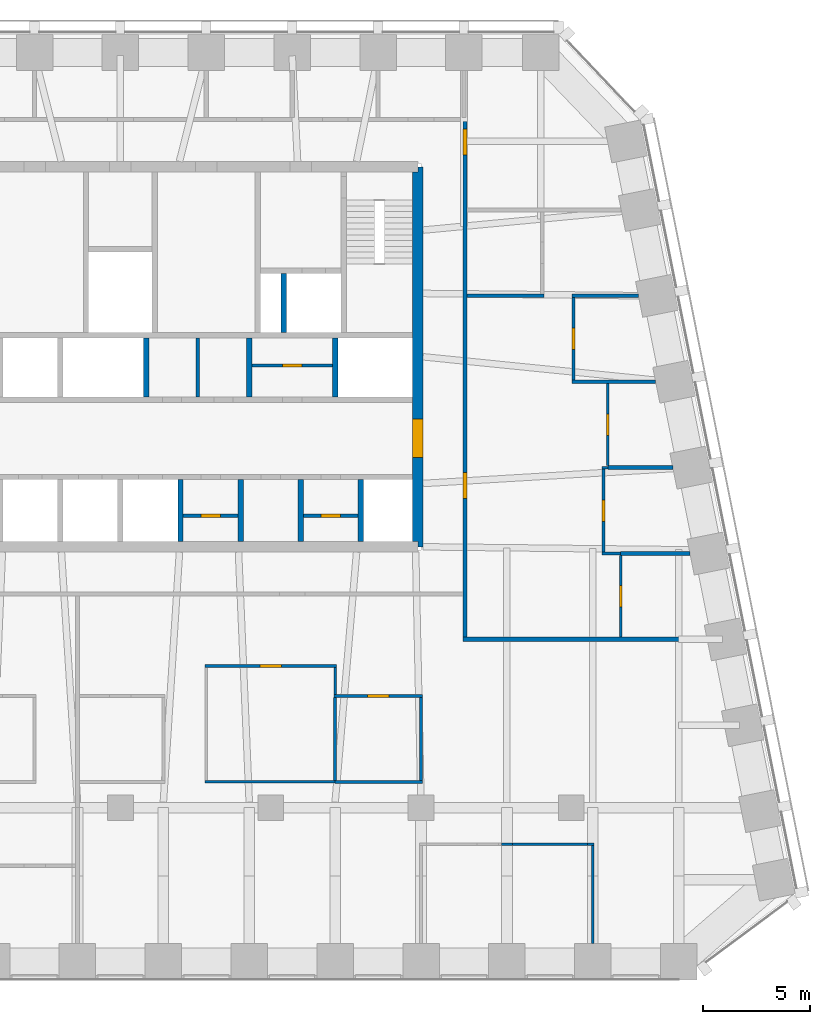
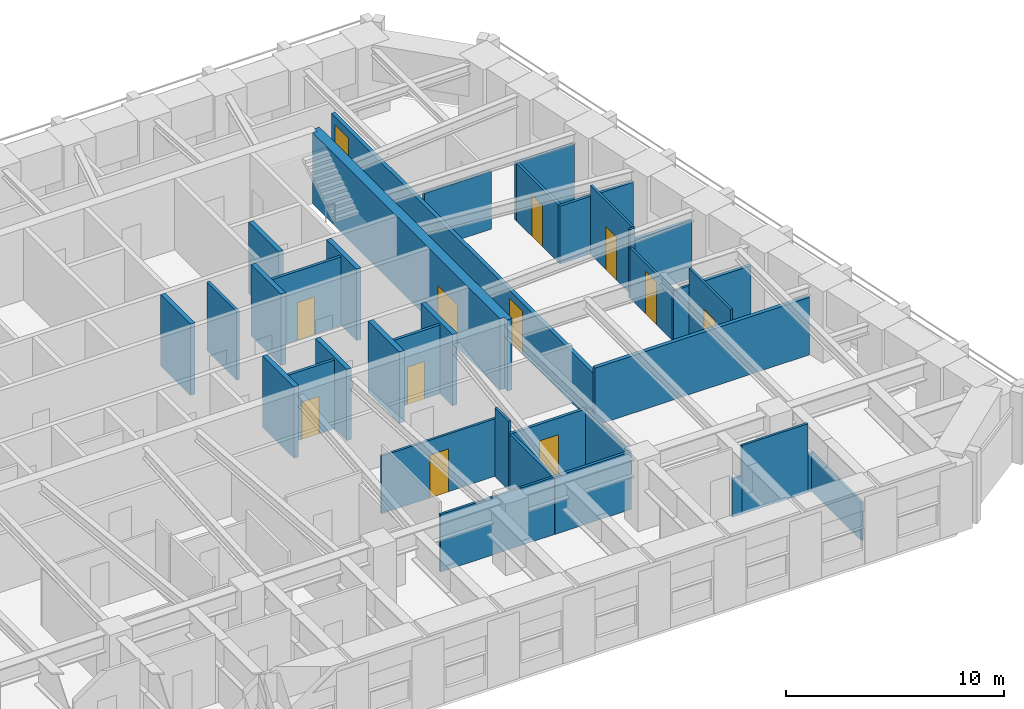
# One storey, part 8 of 11: 37 walls, 12 doors, 12 openings.
"""IFC4 building model written with IfcOpenShell, lengths in metres."""

from ifc_helpers import new_model, si_unit, direction, frame, frame_2d, origin, place, context, subcontext, project, spatial, polyline, rectangle, outline, extrude, material, layer, layer_set, type_object, element, fill, save


model = new_model("IFC4")

# Units and contexts
model_context = context("Model", 3, precision=1e-05, world=origin(), true_north=direction((0.0, 1.0)))
body_context = subcontext(model_context, "Body", "Model", "MODEL_VIEW")
ifc_project = project(units=[si_unit("LENGTHUNIT", "METRE"), si_unit("AREAUNIT", "SQUARE_METRE"), si_unit("VOLUMEUNIT", "CUBIC_METRE"), si_unit("PLANEANGLEUNIT", "RADIAN"), si_unit("MASSUNIT", "GRAM", prefix="KILO")], contexts=[model_context])

# Site, building, storey
site_placement = place(None, origin())
site = spatial("IfcSite", under=ifc_project, at=site_placement, CompositionType="ELEMENT")
building_placement = place(site_placement, origin())
building = spatial("IfcBuilding", under=site, at=building_placement, Name="Isbrekke Arena Tower", CompositionType="ELEMENT")
storey_placement = place(building_placement, frame((0.0, 0.0, 268.0)))
storey = spatial("IfcBuildingStorey", under=building, at=storey_placement, Name="L62", CompositionType="ELEMENT", Elevation=268.0)

# Wall, opening, door
ifc_material_1 = material(Name="Concrete B55 (C55/67)", Category="concrete")
ifc_layer_1 = layer(ifc_material_1, 0.5)
ifc_layer_set_1 = layer_set([ifc_layer_1], Name="CW5 CORE WALL 500")
wall_type_1 = type_object("IfcWallType", Name="CW5 CORE WALL 500", PredefinedType="SHEAR", material=ifc_layer_set_1)
wall_1_placement = place(storey_placement, frame((13.85009765625, 6.14990234375, 0.0), z_axis=(0.0, 0.0, 1.0), x_axis=(0.0, 1.0, 0.0)))
wall_1 = element("IfcWall", 1, at=wall_1_placement, inside=storey, type_object=wall_type_1, Name="Core wall E L62", PredefinedType="SHEAR", context=body_context, shape_type="SweptSolid", body=[
    extrude(outline(polyline([(0.0, -0.25), (17.7001953125, -0.25), (17.7001953125, 0.0), (17.4501953125, 0.0), (17.4501953125, 0.25), (0.25, 0.25), (0.25, 0.0), (0.0, 0.0), (0.0, -0.25)])), origin(), (0.0, 0.0, 1.0), 4.0),
])
opening_1_placement = place(wall_1_placement, frame((4.14990234375, 0.0, 0.0)))
opening_1 = element("IfcOpeningElement", 2, at=opening_1_placement, cuts=wall_1, Name="Opening D1", PredefinedType="OPENING", context=body_context, shape_type="SweptSolid", body=[
    extrude(rectangle(XDim=1.800048828125, YDim=2.39990234375, at=frame_2d((0.89990234375, 1.199951171875))), frame((0.0, 0.264892578125, 0.0), z_axis=(0.0, -1.0, 0.0), x_axis=(1.0, 0.0, 0.0)), (0.0, 0.0, 1.0), 0.52978515625),
])
ifc_material_2 = material(Name="Steel-framed glazed fire door", Category="steel")
door_type_1 = type_object("IfcDoorType", Name="D1 CORE LOBBY DOOR 1800 x 2400", OperationType="DOUBLE_DOOR_SINGLE_SWING", PredefinedType="DOOR", material=ifc_material_2)
door_1_placement = place(opening_1_placement, origin())
door_1 = element("IfcDoor", 3, at=door_1_placement, inside=storey, type_object=door_type_1, Name="D1 lift lobby door east L62", OperationType="DOUBLE_DOOR_SINGLE_SWING", OverallHeight=2.39990234375, OverallWidth=1.800048828125, PredefinedType="DOOR", context=body_context, shape_type="SweptSolid", body=[
    extrude(rectangle(XDim=1.800048828125, YDim=2.39990234375, at=frame_2d((0.89990234375, 1.199951171875))), frame((0.0, 0.249755859375, 0.0), z_axis=(0.0, -1.0, 0.0), x_axis=(1.0, 0.0, 0.0)), (0.0, 0.0, 1.0), 0.49951171875),
])
fill(opening_1, door_1)

# Walls
ifc_material_3 = material(Name="Concrete B45 (C45/55)", Category="concrete")
ifc_layer_2 = layer(ifc_material_3, 0.25)
ifc_layer_set_2 = layer_set([ifc_layer_2], Name="CW6 SHAFT WALL 250")
wall_type_2 = type_object("IfcWallType", Name="CW6 SHAFT WALL 250", PredefinedType="SHEAR", material=ifc_layer_set_2)
for number, where, z_axis, x_axis, name in (
    (4, (2.800048828125, 6.39990234375, 0.0), (0.0, 0.0, 1.0), (0.0, 1.0, 0.0), "Core wall SS06 L62"),
    (5, (5.60009765625, 6.39990234375, 0.0), (0.0, 0.0, 1.0), (0.0, 1.0, 0.0), "Core wall SS07 L62"),
    (6, (8.39990234375, 6.39990234375, 0.0), (0.0, 0.0, 1.0), (0.0, 1.0, 0.0), "Core wall SS08 L62"),
    (7, (11.199951171875, 6.39990234375, 0.0), (0.0, 0.0, 1.0), (0.0, 1.0, 0.0), "Core wall SS09 L62"),
):
    element("IfcWall", number, at=place(storey_placement, frame(where, z_axis=z_axis, x_axis=x_axis)), inside=storey, type_object=wall_type_2, Name=name, PredefinedType="SHEAR", context=body_context, shape_type="SweptSolid", body=[
        extrude(rectangle(XDim=2.875, YDim=0.25, at=frame_2d((1.4375, 0.0))), origin(), (0.0, 0.0, 1.0), 4.0),
    ])
for number, where, z_axis, x_axis, name in (
    (8, (1.199951171875, 13.125, 0.0), (0.0, 0.0, 1.0), (0.0, 1.0, 0.0), "Core wall SN05 L62"),
    (9, (6.0, 13.125, 0.0), (0.0, 0.0, 1.0), (0.0, 1.0, 0.0), "Core wall SN06 L62"),
    (10, (10.0, 13.125, 0.0), (0.0, 0.0, 1.0), (0.0, 1.0, 0.0), "Core wall SN07 L62"),
    (11, (7.60009765625, 16.125, 0.0), (0.0, 0.0, 1.0), (0.0, 1.0, 0.0), "Core wall NFS2 L62"),
):
    element("IfcWall", number, at=place(storey_placement, frame(where, z_axis=z_axis, x_axis=x_axis)), inside=storey, type_object=wall_type_2, Name=name, PredefinedType="SHEAR", context=body_context, shape_type="SweptSolid", body=[
        extrude(rectangle(XDim=2.75, YDim=0.25, at=frame_2d((1.375, 0.0))), origin(), (0.0, 0.0, 1.0), 4.0),
    ])
ifc_material_4 = material(Name="Gypsum board partition on steel studs", Category="steel")
ifc_layer_3 = layer(ifc_material_4, 0.14990234375)
ifc_layer_set_3 = layer_set([ifc_layer_3], Name="IW1 PARTITION 150")
wall_type_3 = type_object("IfcWallType", Name="IW1 PARTITION 150", PredefinedType="PARTITIONING", material=ifc_layer_set_3)
wall_2_placement = place(storey_placement, frame((10.0, -4.800048828125, 0.0), z_axis=(0.0, 0.0, 1.0), x_axis=(1.0, 0.0, 0.0)))
element("IfcWall", 12, at=wall_2_placement, inside=storey, type_object=wall_type_3, Name="IW1 partition 150 L62", PredefinedType="PARTITIONING", context=body_context, shape_type="SweptSolid", body=[
    extrude(rectangle(XDim=4.074951171875, YDim=0.14990234375, at=frame_2d((2.03759765625, 0.0))), origin(), (0.0, 0.0, 1.0), 3.22998046875),
])

# Wall, opening, door
wall_3_placement = place(storey_placement, frame((9.93994140625, -0.800048828125, 0.0), z_axis=(0.0, 0.0, 1.0), x_axis=(1.0, 0.0, 0.0)))
wall_3 = element("IfcWall", 13, at=wall_3_placement, inside=storey, type_object=wall_type_3, Name="IW1 partition 150 L62", PredefinedType="PARTITIONING", context=body_context, shape_type="SweptSolid", body=[
    extrude(rectangle(XDim=4.135009765625, YDim=0.14990234375, at=frame_2d((2.0673828125, 0.0))), origin(), (0.0, 0.0, 1.0), 3.22998046875),
])
opening_2_placement = place(wall_3_placement, frame((1.56005859375, 0.0, 0.0)))
opening_2 = element("IfcOpeningElement", 14, at=opening_2_placement, cuts=wall_3, Name="Opening D10", PredefinedType="OPENING", context=body_context, shape_type="SweptSolid", body=[
    extrude(rectangle(XDim=1.0, YDim=2.300048828125, at=frame_2d((0.5, 1.14990234375))), frame((0.0, 0.08984375, 0.0), z_axis=(0.0, -1.0, 0.0), x_axis=(1.0, 0.0, 0.0)), (0.0, 0.0, 1.0), 0.1796875),
])
ifc_material_5 = material(Name="Timber door", Category="wood")
door_type_2 = type_object("IfcDoorType", Name="D10 OFFICE DOOR 1000 x 2300", OperationType="SINGLE_SWING_LEFT", PredefinedType="DOOR", material=ifc_material_5)
door_2_placement = place(opening_2_placement, origin())
door_2 = element("IfcDoor", 15, at=door_2_placement, inside=storey, type_object=door_type_2, Name="D10 model store door L62", OperationType="SINGLE_SWING_LEFT", OverallHeight=2.300048828125, OverallWidth=1.0, PredefinedType="DOOR", context=body_context, shape_type="SweptSolid", body=[
    extrude(rectangle(XDim=1.0, YDim=2.300048828125, at=frame_2d((0.5, 1.14990234375))), frame((0.0, 0.07470703125, 0.0), z_axis=(0.0, -1.0, 0.0), x_axis=(1.0, 0.0, 0.0)), (0.0, 0.0, 1.0), 0.1494140625),
])
fill(opening_2, door_2)

# Walls
wall_4_placement = place(storey_placement, frame((21.02490234375, 13.840087890625, 0.0), z_axis=(0.0, 0.0, 1.0), x_axis=(1.0, 0.0, 0.0)))
element("IfcWall", 16, at=wall_4_placement, inside=storey, type_object=wall_type_3, Name="IW1 partition 150 L62", PredefinedType="PARTITIONING", context=body_context, shape_type="SweptSolid", body=[
    extrude(rectangle(XDim=3.89892578125, YDim=0.14990234375, at=frame_2d((1.949462890625, 0.0))), origin(), (0.0, 0.0, 1.0), 3.22998046875),
])
wall_5_placement = place(storey_placement, frame((16.14990234375, 17.840087890625, 0.0), z_axis=(0.0, 0.0, 1.0), x_axis=(1.0, 0.0, 0.0)))
element("IfcWall", 17, at=wall_5_placement, inside=storey, type_object=wall_type_3, Name="IW1 partition 150 L62", PredefinedType="PARTITIONING", context=body_context, shape_type="SweptSolid", body=[
    extrude(rectangle(XDim=3.5751953125, YDim=0.14990234375, at=frame_2d((1.78759765625, 0.0))), origin(), (0.0, 0.0, 1.0), 3.22998046875),
])
wall_6_placement = place(storey_placement, frame((21.02490234375, 17.840087890625, 0.0), z_axis=(0.0, 0.0, 1.0), x_axis=(1.0, 0.0, 0.0)))
element("IfcWall", 18, at=wall_6_placement, inside=storey, type_object=wall_type_3, Name="IW1 partition 150 L62", PredefinedType="PARTITIONING", context=body_context, shape_type="SweptSolid", body=[
    extrude(rectangle(XDim=3.098876953125, YDim=0.14990234375, at=frame_2d((1.54931640625, 0.0))), origin(), (0.0, 0.0, 1.0), 3.22998046875),
])
for number, where, z_axis, x_axis, name in (
    (19, (10.0, -4.72509765625, 0.0), (0.0, 0.0, 1.0), (0.0, 1.0, 0.0), "IW1 partition 150 L62"),
    (20, (14.0, -4.72509765625, 0.0), (0.0, 0.0, 1.0), (0.0, 1.0, 0.0), "IW1 partition 150 L62"),
):
    element("IfcWall", number, at=place(storey_placement, frame(where, z_axis=z_axis, x_axis=x_axis)), inside=storey, type_object=wall_type_3, Name=name, PredefinedType="PARTITIONING", context=body_context, shape_type="SweptSolid", body=[
        extrude(rectangle(XDim=3.85009765625, YDim=0.14990234375, at=frame_2d((1.925048828125, 0.0))), origin(), (0.0, 0.0, 1.0), 3.22998046875),
    ])

# Wall, opening, door
wall_7_placement = place(storey_placement, frame((21.10009765625, 13.9150390625, 0.0), z_axis=(0.0, 0.0, 1.0), x_axis=(0.0, 1.0, 0.0)))
wall_7 = element("IfcWall", 21, at=wall_7_placement, inside=storey, type_object=wall_type_3, Name="IW1 partition 150 L62", PredefinedType="PARTITIONING", context=body_context, shape_type="SweptSolid", body=[
    extrude(rectangle(XDim=3.849853515625, YDim=0.14990234375, at=frame_2d((1.9248046875, 0.0))), origin(), (0.0, 0.0, 1.0), 3.22998046875),
])
opening_3_placement = place(wall_7_placement, frame((1.425048828125, 0.0, 0.0)))
opening_3 = element("IfcOpeningElement", 22, at=opening_3_placement, cuts=wall_7, Name="Opening D10", PredefinedType="OPENING", context=body_context, shape_type="SweptSolid", body=[
    extrude(rectangle(XDim=1.0, YDim=2.300048828125, at=frame_2d((0.5, 1.14990234375))), frame((0.0, 0.08984375, 0.0), z_axis=(0.0, -1.0, 0.0), x_axis=(1.0, 0.0, 0.0)), (0.0, 0.0, 1.0), 0.1796875),
])
door_3_placement = place(opening_3_placement, origin())
door_3 = element("IfcDoor", 23, at=door_3_placement, inside=storey, type_object=door_type_2, Name="D10 office door L62", OperationType="SINGLE_SWING_LEFT", OverallHeight=2.300048828125, OverallWidth=1.0, PredefinedType="DOOR", context=body_context, shape_type="SweptSolid", body=[
    extrude(rectangle(XDim=1.0, YDim=2.300048828125, at=frame_2d((0.5, 1.14990234375))), frame((0.0, 0.07470703125, 0.0), z_axis=(0.0, -1.0, 0.0), x_axis=(1.0, 0.0, 0.0)), (0.0, 0.0, 1.0), 0.1494140625),
])
fill(opening_3, door_3)

# Walls
ifc_material_6 = material(Name="Frameless glazed partition, laminated acoustic glass", Category="glass")
ifc_layer_4 = layer(ifc_material_6, 0.1201171875)
ifc_layer_set_4 = layer_set([ifc_layer_4], Name="IW2 GLAZED PARTITION 120")
wall_type_4 = type_object("IfcWallType", Name="IW2 GLAZED PARTITION 120", PredefinedType="PARTITIONING", material=ifc_layer_set_4)
wall_8_placement = place(storey_placement, frame((17.75, -7.699951171875, 0.0), z_axis=(0.0, 0.0, 1.0), x_axis=(1.0, 0.0, 0.0)))
element("IfcWall", 24, at=wall_8_placement, inside=storey, type_object=wall_type_4, Name="IW2 glazed partition 120 L62", PredefinedType="PARTITIONING", context=body_context, shape_type="SweptSolid", body=[
    extrude(rectangle(XDim=0.5, YDim=0.1201171875, at=frame_2d((0.25, 0.0))), origin(), (0.0, 0.0, 1.0), 2.14990234375),
])
wall_9_placement = place(storey_placement, frame((18.25, -7.699951171875, 0.0), z_axis=(0.0, 0.0, 1.0), x_axis=(1.0, 0.0, 0.0)))
element("IfcWall", 25, at=wall_9_placement, inside=storey, type_object=wall_type_4, Name="IW2 glazed partition 120 L62", PredefinedType="PARTITIONING", context=body_context, shape_type="SweptSolid", body=[
    extrude(rectangle(XDim=3.5, YDim=0.1201171875, at=frame_2d((1.75, 0.0))), origin(), (0.0, 0.0, 1.0), 3.85009765625),
])
wall_10_placement = place(storey_placement, frame((21.75, -7.699951171875, 0.0), z_axis=(0.0, 0.0, 1.0), x_axis=(1.0, 0.0, 0.0)))
element("IfcWall", 26, at=wall_10_placement, inside=storey, type_object=wall_type_4, Name="IW2 glazed partition 120 L62", PredefinedType="PARTITIONING", context=body_context, shape_type="SweptSolid", body=[
    extrude(rectangle(XDim=0.31005859375, YDim=0.1201171875, at=frame_2d((0.155029296875, 0.0))), origin(), (0.0, 0.0, 1.0), 2.14990234375),
])
wall_11_placement = place(storey_placement, frame((3.93994140625, -4.800048828125, 0.0), z_axis=(0.0, 0.0, 1.0), x_axis=(1.0, 0.0, 0.0)))
element("IfcWall", 27, at=wall_11_placement, inside=storey, type_object=wall_type_4, Name="IW2 glazed partition 120 L62", PredefinedType="PARTITIONING", context=body_context, shape_type="SweptSolid", body=[
    extrude(rectangle(XDim=6.06005859375, YDim=0.1201171875, at=frame_2d((3.030029296875, 0.0))), origin(), (0.0, 0.0, 1.0), 3.22998046875),
])

# Wall, opening, door
wall_12_placement = place(storey_placement, frame((3.93994140625, 0.60009765625, 0.0), z_axis=(0.0, 0.0, 1.0), x_axis=(1.0, 0.0, 0.0)))
wall_12 = element("IfcWall", 28, at=wall_12_placement, inside=storey, type_object=wall_type_4, Name="IW2 glazed partition 120 L62", PredefinedType="PARTITIONING", context=body_context, shape_type="SweptSolid", body=[
    extrude(rectangle(XDim=6.1201171875, YDim=0.1201171875, at=frame_2d((3.06005859375, 0.0))), origin(), (0.0, 0.0, 1.0), 3.22998046875),
])
opening_4_placement = place(wall_12_placement, frame((2.56005859375, 0.0, 0.0)))
opening_4 = element("IfcOpeningElement", 29, at=opening_4_placement, cuts=wall_12, Name="Opening D11", PredefinedType="OPENING", context=body_context, shape_type="SweptSolid", body=[
    extrude(rectangle(XDim=1.0, YDim=2.39990234375, at=frame_2d((0.5, 1.199951171875))), frame((0.0, 0.074951171875, 0.0), z_axis=(0.0, -1.0, 0.0), x_axis=(1.0, 0.0, 0.0)), (0.0, 0.0, 1.0), 0.14990234375),
])
ifc_material_7 = material(Name="Frameless glazed door", Category="glass")
door_type_3 = type_object("IfcDoorType", Name="D11 GLAZED MEETING ROOM DOOR 1000 x 2400", OperationType="SINGLE_SWING_RIGHT", PredefinedType="DOOR", material=ifc_material_7)
door_4_placement = place(opening_4_placement, origin())
door_4 = element("IfcDoor", 30, at=door_4_placement, inside=storey, type_object=door_type_3, Name="D11 meeting room door L62", OperationType="SINGLE_SWING_RIGHT", OverallHeight=2.39990234375, OverallWidth=1.0, PredefinedType="DOOR", context=body_context, shape_type="SweptSolid", body=[
    extrude(rectangle(XDim=1.0, YDim=2.39990234375, at=frame_2d((0.5, 1.199951171875))), frame((0.0, 0.059814453125, 0.0), z_axis=(0.0, -1.0, 0.0), x_axis=(1.0, 0.0, 0.0)), (0.0, 0.0, 1.0), 0.11962890625),
])
fill(opening_4, door_4)

# Walls
wall_13_placement = place(storey_placement, frame((22.43994140625, 5.840087890625, 0.0), z_axis=(0.0, 0.0, 1.0), x_axis=(1.0, 0.0, 0.0)))
element("IfcWall", 31, at=wall_13_placement, inside=storey, type_object=wall_type_4, Name="IW2 glazed partition 120 L62", PredefinedType="PARTITIONING", context=body_context, shape_type="SweptSolid", body=[
    extrude(rectangle(XDim=0.860107421875, YDim=0.1201171875, at=frame_2d((0.43017578125, 0.0))), origin(), (0.0, 0.0, 1.0), 2.842041015625),
])
wall_14_placement = place(storey_placement, frame((22.43994140625, 9.840087890625, 0.0), z_axis=(0.0, 0.0, 1.0), x_axis=(1.0, 0.0, 0.0)))
element("IfcWall", 32, at=wall_14_placement, inside=storey, type_object=wall_type_4, Name="IW2 glazed partition 120 L62", PredefinedType="PARTITIONING", context=body_context, shape_type="SweptSolid", body=[
    extrude(rectangle(XDim=0.260009765625, YDim=0.1201171875, at=frame_2d((0.1298828125, 0.0))), origin(), (0.0, 0.0, 1.0), 3.85009765625),
])
wall_15_placement = place(storey_placement, frame((10.0, -0.72509765625, 0.0), z_axis=(0.0, 0.0, 1.0), x_axis=(0.0, 1.0, 0.0)))
element("IfcWall", 33, at=wall_15_placement, inside=storey, type_object=wall_type_4, Name="IW2 glazed partition 120 L62", PredefinedType="PARTITIONING", context=body_context, shape_type="SweptSolid", body=[
    extrude(rectangle(XDim=1.26513671875, YDim=0.1201171875, at=frame_2d((0.632568359375, 0.0))), origin(), (0.0, 0.0, 1.0), 3.85009765625),
])
wall_16_placement = place(storey_placement, frame((22.0, -12.324951171875, 0.0), z_axis=(0.0, 0.0, 1.0), x_axis=(0.0, 1.0, 0.0)))
element("IfcWall", 34, at=wall_16_placement, inside=storey, type_object=wall_type_4, Name="IW2 glazed partition 120 L62", PredefinedType="PARTITIONING", context=body_context, shape_type="SweptSolid", body=[
    extrude(rectangle(XDim=4.56494140625, YDim=0.1201171875, at=frame_2d((2.282470703125, 0.0))), origin(), (0.0, 0.0, 1.0), 2.14990234375),
])

# Wall, opening, door
wall_17_placement = place(storey_placement, frame((22.5, 5.89990234375, 0.0), z_axis=(0.0, 0.0, 1.0), x_axis=(0.0, 1.0, 0.0)))
wall_17 = element("IfcWall", 35, at=wall_17_placement, inside=storey, type_object=wall_type_4, Name="IW2 glazed partition 120 L62", PredefinedType="PARTITIONING", context=body_context, shape_type="SweptSolid", body=[
    extrude(rectangle(XDim=3.880126953125, YDim=0.1201171875, at=frame_2d((1.93994140625, 0.0))), origin(), (0.0, 0.0, 1.0), 2.842041015625),
])
opening_5_placement = place(wall_17_placement, frame((1.43994140625, 0.0, 0.0)))
opening_5 = element("IfcOpeningElement", 36, at=opening_5_placement, cuts=wall_17, Name="Opening D11", PredefinedType="OPENING", context=body_context, shape_type="SweptSolid", body=[
    extrude(rectangle(XDim=1.0, YDim=2.39990234375, at=frame_2d((0.5, 1.199951171875))), frame((0.0, 0.074951171875, 0.0), z_axis=(0.0, -1.0, 0.0), x_axis=(1.0, 0.0, 0.0)), (0.0, 0.0, 1.0), 0.14990234375),
])
door_5_placement = place(opening_5_placement, origin())
door_5 = element("IfcDoor", 37, at=door_5_placement, inside=storey, type_object=door_type_3, Name="D11 meeting room door L62", OperationType="SINGLE_SWING_RIGHT", OverallHeight=2.39990234375, OverallWidth=1.0, PredefinedType="DOOR", context=body_context, shape_type="SweptSolid", body=[
    extrude(rectangle(XDim=1.0, YDim=2.39990234375, at=frame_2d((0.5, 1.199951171875))), frame((0.0, 0.059814453125, 0.0), z_axis=(0.0, -1.0, 0.0), x_axis=(1.0, 0.0, 0.0)), (0.0, 0.0, 1.0), 0.11962890625),
])
fill(opening_5, door_5)

wall_18_placement = place(storey_placement, frame((22.699951171875, 9.927490234375, 0.0), z_axis=(0.0, 0.0, 1.0), x_axis=(0.0, 1.0, 0.0)))
wall_18 = element("IfcWall", 38, at=wall_18_placement, inside=storey, type_object=wall_type_4, Name="IW2 glazed partition 120 L62", PredefinedType="PARTITIONING", context=body_context, shape_type="SweptSolid", body=[
    extrude(rectangle(XDim=3.83740234375, YDim=0.1201171875, at=frame_2d((1.918701171875, 0.0))), origin(), (0.0, 0.0, 1.0), 3.85009765625),
])
opening_6_placement = place(wall_18_placement, frame((1.41259765625, 0.0, 0.0)))
opening_6 = element("IfcOpeningElement", 39, at=opening_6_placement, cuts=wall_18, Name="Opening D11", PredefinedType="OPENING", context=body_context, shape_type="SweptSolid", body=[
    extrude(rectangle(XDim=1.0, YDim=2.39990234375, at=frame_2d((0.5, 1.199951171875))), frame((0.0, 0.074951171875, 0.0), z_axis=(0.0, -1.0, 0.0), x_axis=(1.0, 0.0, 0.0)), (0.0, 0.0, 1.0), 0.14990234375),
])
door_6_placement = place(opening_6_placement, origin())
door_6 = element("IfcDoor", 40, at=door_6_placement, inside=storey, type_object=door_type_3, Name="D11 quiet room door L62", OperationType="SINGLE_SWING_RIGHT", OverallHeight=2.39990234375, OverallWidth=1.0, PredefinedType="DOOR", context=body_context, shape_type="SweptSolid", body=[
    extrude(rectangle(XDim=1.0, YDim=2.39990234375, at=frame_2d((0.5, 1.199951171875))), frame((0.0, 0.059814453125, 0.0), z_axis=(0.0, -1.0, 0.0), x_axis=(1.0, 0.0, 0.0)), (0.0, 0.0, 1.0), 0.11962890625),
])
fill(opening_6, door_6)

wall_19_placement = place(storey_placement, frame((23.300048828125, 1.93994140625, 0.0), z_axis=(0.0, 0.0, 1.0), x_axis=(0.0, 1.0, 0.0)))
wall_19 = element("IfcWall", 41, at=wall_19_placement, inside=storey, type_object=wall_type_4, Name="IW2 glazed partition 120 L62", PredefinedType="PARTITIONING", context=body_context, shape_type="SweptSolid", body=[
    extrude(rectangle(XDim=3.8125, YDim=0.1201171875, at=frame_2d((1.90625, 0.0))), origin(), (0.0, 0.0, 1.0), 3.85009765625),
])
opening_7_placement = place(wall_19_placement, frame((1.39990234375, 0.0, 0.0)))
opening_7 = element("IfcOpeningElement", 42, at=opening_7_placement, cuts=wall_19, Name="Opening D11", PredefinedType="OPENING", context=body_context, shape_type="SweptSolid", body=[
    extrude(rectangle(XDim=1.0, YDim=2.39990234375, at=frame_2d((0.5, 1.199951171875))), frame((0.0, 0.074951171875, 0.0), z_axis=(0.0, -1.0, 0.0), x_axis=(1.0, 0.0, 0.0)), (0.0, 0.0, 1.0), 0.14990234375),
])
door_7_placement = place(opening_7_placement, origin())
door_7 = element("IfcDoor", 43, at=door_7_placement, inside=storey, type_object=door_type_3, Name="D11 meeting room door L62", OperationType="SINGLE_SWING_RIGHT", OverallHeight=2.39990234375, OverallWidth=1.0, PredefinedType="DOOR", context=body_context, shape_type="SweptSolid", body=[
    extrude(rectangle(XDim=1.0, YDim=2.39990234375, at=frame_2d((0.5, 1.199951171875))), frame((0.0, 0.059814453125, 0.0), z_axis=(0.0, -1.0, 0.0), x_axis=(1.0, 0.0, 0.0)), (0.0, 0.0, 1.0), 0.11962890625),
])
fill(opening_7, door_7)

# Wall
ifc_material_8 = material(Name="Gypsum board fire-cell wall on steel studs, two layers each side", Category="steel")
ifc_layer_5 = layer(ifc_material_8, 0.199951171875)
ifc_layer_set_5 = layer_set([ifc_layer_5], Name="IW3 FIRE-CELL WALL 200")
wall_type_5 = type_object("IfcWallType", Name="IW3 FIRE-CELL WALL 200", PredefinedType="PARTITIONING", material=ifc_layer_set_5)
wall_20_placement = place(storey_placement, frame((15.949951171875, 1.840087890625, 0.0), z_axis=(0.0, 0.0, 1.0), x_axis=(1.0, 0.0, 0.0)))
element("IfcWall", 44, at=wall_20_placement, inside=storey, type_object=wall_type_5, Name="IW3 fire-cell wall 200 L62", PredefinedType="PARTITIONING", context=body_context, shape_type="SweptSolid", body=[
    extrude(rectangle(XDim=11.373779296875, YDim=0.199951171875, at=frame_2d((5.68701171875, 0.0))), origin(), (0.0, 0.0, 1.0), 3.22998046875),
])

# Wall, openings, doors
wall_21_placement = place(storey_placement, frame((16.050048828125, 1.93994140625, 0.0), z_axis=(0.0, 0.0, 1.0), x_axis=(0.0, 1.0, 0.0)))
wall_21 = element("IfcWall", 45, at=wall_21_placement, inside=storey, type_object=wall_type_5, Name="IW3 fire-cell wall 200 L62", PredefinedType="PARTITIONING", context=body_context, shape_type="SweptSolid", body=[
    extrude(rectangle(XDim=24.010009765625, YDim=0.199951171875, at=frame_2d((12.0048828125, 0.0))), origin(), (0.0, 0.0, 1.0), 2.842041015625),
])
opening_8_placement = place(wall_21_placement, frame((22.4599609375, 0.0, 0.0)))
opening_8 = element("IfcOpeningElement", 46, at=opening_8_placement, cuts=wall_21, Name="Opening D12", PredefinedType="OPENING", context=body_context, shape_type="SweptSolid", body=[
    extrude(rectangle(XDim=1.199951171875, YDim=2.39990234375, at=frame_2d((0.60009765625, 1.199951171875))), frame((0.0, 0.11474609375, 0.0), z_axis=(0.0, -1.0, 0.0), x_axis=(1.0, 0.0, 0.0)), (0.0, 0.0, 1.0), 0.229736328125),
])
opening_9_placement = place(wall_21_placement, frame((6.4599609375, 0.0, 0.0)))
opening_9 = element("IfcOpeningElement", 47, at=opening_9_placement, cuts=wall_21, Name="Opening D12", PredefinedType="OPENING", context=body_context, shape_type="SweptSolid", body=[
    extrude(rectangle(XDim=1.199951171875, YDim=2.39990234375, at=frame_2d((0.60009765625, 1.199951171875))), frame((0.0, 0.11474609375, 0.0), z_axis=(0.0, -1.0, 0.0), x_axis=(1.0, 0.0, 0.0)), (0.0, 0.0, 1.0), 0.229736328125),
])
ifc_material_9 = material(Name="Timber fire door with vision panel", Category="wood")
door_type_4 = type_object("IfcDoorType", Name="D12 SUITE ENTRANCE DOOR 1200 x 2400", OperationType="SINGLE_SWING_LEFT", PredefinedType="DOOR", material=ifc_material_9)
door_8_placement = place(opening_8_placement, origin())
door_8 = element("IfcDoor", 48, at=door_8_placement, inside=storey, type_object=door_type_4, Name="D12 suite entrance NCE door L62", OperationType="SINGLE_SWING_LEFT", OverallHeight=2.39990234375, OverallWidth=1.199951171875, PredefinedType="DOOR", context=body_context, shape_type="SweptSolid", body=[
    extrude(rectangle(XDim=1.199951171875, YDim=2.39990234375, at=frame_2d((0.60009765625, 1.199951171875))), frame((0.0, 0.099609375, 0.0), z_axis=(0.0, -1.0, 0.0), x_axis=(1.0, 0.0, 0.0)), (0.0, 0.0, 1.0), 0.199462890625),
])
fill(opening_8, door_8)
door_9_placement = place(opening_9_placement, origin())
door_9 = element("IfcDoor", 49, at=door_9_placement, inside=storey, type_object=door_type_4, Name="D12 suite entrance NE door L62", OperationType="SINGLE_SWING_LEFT", OverallHeight=2.39990234375, OverallWidth=1.199951171875, PredefinedType="DOOR", context=body_context, shape_type="SweptSolid", body=[
    extrude(rectangle(XDim=1.199951171875, YDim=2.39990234375, at=frame_2d((0.60009765625, 1.199951171875))), frame((0.0, 0.099609375, 0.0), z_axis=(0.0, -1.0, 0.0), x_axis=(1.0, 0.0, 0.0)), (0.0, 0.0, 1.0), 0.199462890625),
])
fill(opening_9, door_9)

# Walls
ifc_material_10 = material(Name="Gypsum board acoustic partition on twin steel studs", Category="steel")
ifc_layer_6 = layer(ifc_material_10, 0.175048828125)
ifc_layer_set_6 = layer_set([ifc_layer_6], Name="IW4 ACOUSTIC PARTITION 175")
wall_type_6 = type_object("IfcWallType", Name="IW4 ACOUSTIC PARTITION 175", PredefinedType="PARTITIONING", material=ifc_layer_set_6)
wall_22_placement = place(storey_placement, frame((23.300048828125, 5.840087890625, 0.0), z_axis=(0.0, 0.0, 1.0), x_axis=(1.0, 0.0, 0.0)))
element("IfcWall", 50, at=wall_22_placement, inside=storey, type_object=wall_type_6, Name="IW4 acoustic partition 175 L62", PredefinedType="PARTITIONING", context=body_context, shape_type="SweptSolid", body=[
    extrude(rectangle(XDim=3.2236328125, YDim=0.175048828125, at=frame_2d((1.61181640625, 0.0))), origin(), (0.0, 0.0, 1.0), 2.842041015625),
])
wall_23_placement = place(storey_placement, frame((22.699951171875, 9.840087890625, 0.0), z_axis=(0.0, 0.0, 1.0), x_axis=(1.0, 0.0, 0.0)))
element("IfcWall", 51, at=wall_23_placement, inside=storey, type_object=wall_type_6, Name="IW4 acoustic partition 175 L62", PredefinedType="PARTITIONING", context=body_context, shape_type="SweptSolid", body=[
    extrude(rectangle(XDim=3.02392578125, YDim=0.175048828125, at=frame_2d((1.511962890625, 0.0))), origin(), (0.0, 0.0, 1.0), 3.22998046875),
])
ifc_material_11 = material(Name="Gypsum board fire-rated partition on steel studs, two layers each side", Category="steel")
ifc_layer_7 = layer(ifc_material_11, 0.14990234375)
ifc_layer_set_7 = layer_set([ifc_layer_7], Name="IW5 FIRE-RATED PARTITION 150")
wall_type_7 = type_object("IfcWallType", Name="IW5 FIRE-RATED PARTITION 150", PredefinedType="PARTITIONING", material=ifc_layer_set_7)
wall_24_placement = place(storey_placement, frame((3.60009765625, 13.125, 0.0), z_axis=(0.0, 0.0, 1.0), x_axis=(0.0, 1.0, 0.0)))
element("IfcWall", 52, at=wall_24_placement, inside=storey, type_object=wall_type_7, Name="IW5 fire-rated partition L62 core service rooms 1", PredefinedType="PARTITIONING", context=body_context, shape_type="SweptSolid", body=[
    extrude(rectangle(XDim=2.75, YDim=0.14990234375, at=frame_2d((1.375, 0.0))), origin(), (0.0, 0.0, 1.0), 3.85009765625),
])

# Wall, opening, door
wall_25_placement = place(storey_placement, frame((6.125, 14.60009765625, 0.0), z_axis=(0.0, 0.0, 1.0), x_axis=(1.0, 0.0, 0.0)))
wall_25 = element("IfcWall", 53, at=wall_25_placement, inside=storey, type_object=wall_type_7, Name="IW5 fire-rated partition L62 core service rooms 2", PredefinedType="PARTITIONING", context=body_context, shape_type="SweptSolid", body=[
    extrude(rectangle(XDim=3.75, YDim=0.14990234375, at=frame_2d((1.875, 0.0))), origin(), (0.0, 0.0, 1.0), 3.85009765625),
])
opening_10_placement = place(wall_25_placement, frame((1.425048828125, 0.0, 0.0)))
opening_10 = element("IfcOpeningElement", 54, at=opening_10_placement, cuts=wall_25, Name="Opening D5", PredefinedType="OPENING", context=body_context, shape_type="SweptSolid", body=[
    extrude(rectangle(XDim=0.89990234375, YDim=2.10009765625, at=frame_2d((0.449951171875, 1.050048828125))), frame((0.0, 0.08984375, 0.0), z_axis=(0.0, -1.0, 0.0), x_axis=(1.0, 0.0, 0.0)), (0.0, 0.0, 1.0), 0.1796875),
])
ifc_material_12 = material(Name="Steel fire door", Category="steel")
door_type_5 = type_object("IfcDoorType", Name="D5 SERVICE DOOR 900 x 2100", OperationType="SINGLE_SWING_LEFT", PredefinedType="DOOR", material=ifc_material_12)
door_10_placement = place(opening_10_placement, origin())
door_10 = element("IfcDoor", 55, at=door_10_placement, inside=storey, type_object=door_type_5, Name="D5 technical room door L62", OperationType="SINGLE_SWING_LEFT", OverallHeight=2.10009765625, OverallWidth=0.89990234375, PredefinedType="DOOR", context=body_context, shape_type="SweptSolid", body=[
    extrude(rectangle(XDim=0.89990234375, YDim=2.10009765625, at=frame_2d((0.449951171875, 1.050048828125))), frame((0.0, 0.07470703125, 0.0), z_axis=(0.0, -1.0, 0.0), x_axis=(1.0, 0.0, 0.0)), (0.0, 0.0, 1.0), 0.1494140625),
])
fill(opening_10, door_10)

wall_26_placement = place(storey_placement, frame((2.925048828125, 7.60009765625, 0.0), z_axis=(0.0, 0.0, 1.0), x_axis=(1.0, 0.0, 0.0)))
wall_26 = element("IfcWall", 56, at=wall_26_placement, inside=storey, type_object=wall_type_7, Name="IW5 fire-rated partition L62 core service rooms 6", PredefinedType="PARTITIONING", context=body_context, shape_type="SweptSolid", body=[
    extrude(rectangle(XDim=2.550048828125, YDim=0.14990234375, at=frame_2d((1.27490234375, 0.0))), origin(), (0.0, 0.0, 1.0), 3.85009765625),
])
opening_11_placement = place(wall_26_placement, frame((0.824951171875, 0.0, 0.0)))
opening_11 = element("IfcOpeningElement", 57, at=opening_11_placement, cuts=wall_26, Name="Opening D5", PredefinedType="OPENING", context=body_context, shape_type="SweptSolid", body=[
    extrude(rectangle(XDim=0.89990234375, YDim=2.10009765625, at=frame_2d((0.449951171875, 1.050048828125))), frame((0.0, 0.08984375, 0.0), z_axis=(0.0, -1.0, 0.0), x_axis=(1.0, 0.0, 0.0)), (0.0, 0.0, 1.0), 0.1796875),
])
door_11_placement = place(opening_11_placement, origin())
door_11 = element("IfcDoor", 58, at=door_11_placement, inside=storey, type_object=door_type_5, Name="D5 tenant store door L62", OperationType="SINGLE_SWING_LEFT", OverallHeight=2.10009765625, OverallWidth=0.89990234375, PredefinedType="DOOR", context=body_context, shape_type="SweptSolid", body=[
    extrude(rectangle(XDim=0.89990234375, YDim=2.10009765625, at=frame_2d((0.449951171875, 1.050048828125))), frame((0.0, 0.07470703125, 0.0), z_axis=(0.0, -1.0, 0.0), x_axis=(1.0, 0.0, 0.0)), (0.0, 0.0, 1.0), 0.1494140625),
])
fill(opening_11, door_11)

wall_27_placement = place(storey_placement, frame((8.52490234375, 7.60009765625, 0.0), z_axis=(0.0, 0.0, 1.0), x_axis=(1.0, 0.0, 0.0)))
wall_27 = element("IfcWall", 59, at=wall_27_placement, inside=storey, type_object=wall_type_7, Name="IW5 fire-rated partition L62 core service rooms 7", PredefinedType="PARTITIONING", context=body_context, shape_type="SweptSolid", body=[
    extrude(rectangle(XDim=2.550048828125, YDim=0.14990234375, at=frame_2d((1.27490234375, 0.0))), origin(), (0.0, 0.0, 1.0), 3.85009765625),
])
opening_12_placement = place(wall_27_placement, frame((0.824951171875, 0.0, 0.0)))
opening_12 = element("IfcOpeningElement", 60, at=opening_12_placement, cuts=wall_27, Name="Opening D5", PredefinedType="OPENING", context=body_context, shape_type="SweptSolid", body=[
    extrude(rectangle(XDim=0.89990234375, YDim=2.10009765625, at=frame_2d((0.449951171875, 1.050048828125))), frame((0.0, 0.08984375, 0.0), z_axis=(0.0, -1.0, 0.0), x_axis=(1.0, 0.0, 0.0)), (0.0, 0.0, 1.0), 0.1796875),
])
door_12_placement = place(opening_12_placement, origin())
door_12 = element("IfcDoor", 61, at=door_12_placement, inside=storey, type_object=door_type_5, Name="D5 store door L62", OperationType="SINGLE_SWING_LEFT", OverallHeight=2.10009765625, OverallWidth=0.89990234375, PredefinedType="DOOR", context=body_context, shape_type="SweptSolid", body=[
    extrude(rectangle(XDim=0.89990234375, YDim=2.10009765625, at=frame_2d((0.449951171875, 1.050048828125))), frame((0.0, 0.07470703125, 0.0), z_axis=(0.0, -1.0, 0.0), x_axis=(1.0, 0.0, 0.0)), (0.0, 0.0, 1.0), 0.1494140625),
])
fill(opening_12, door_12)

save(model, "model.ifc")
